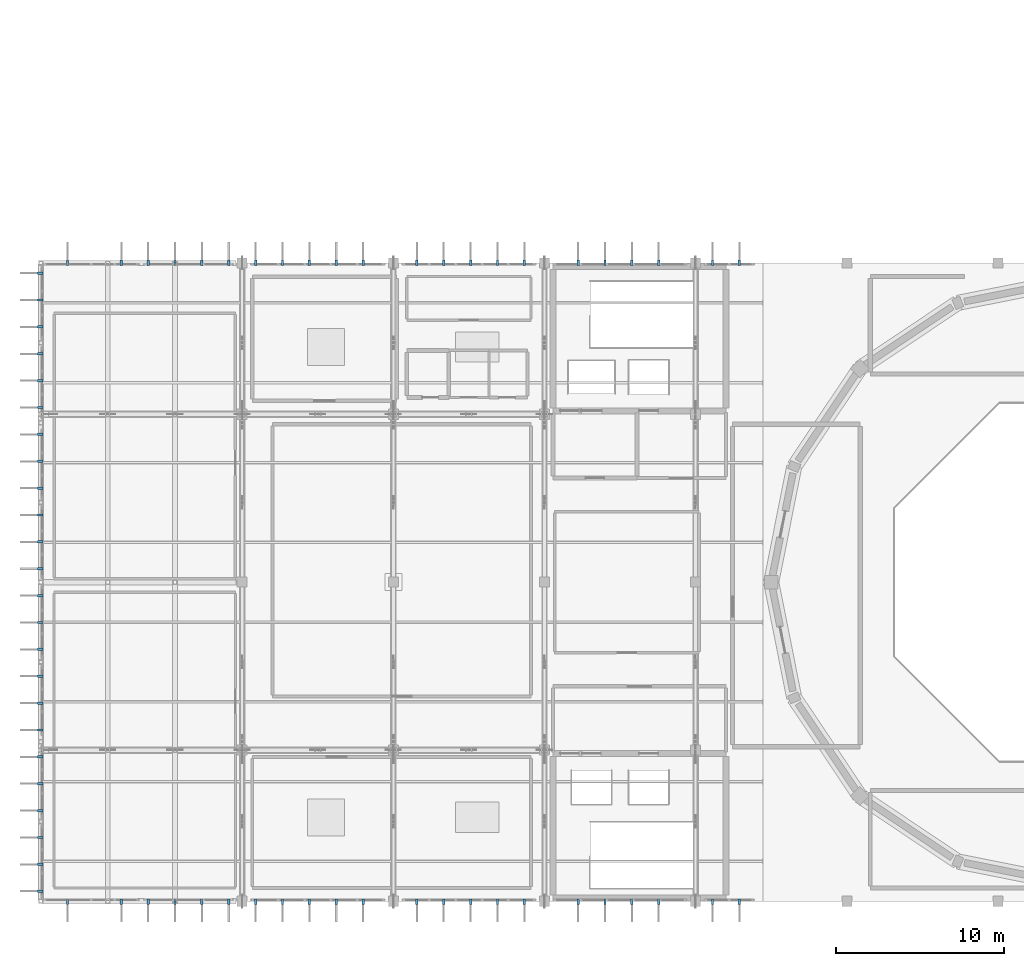
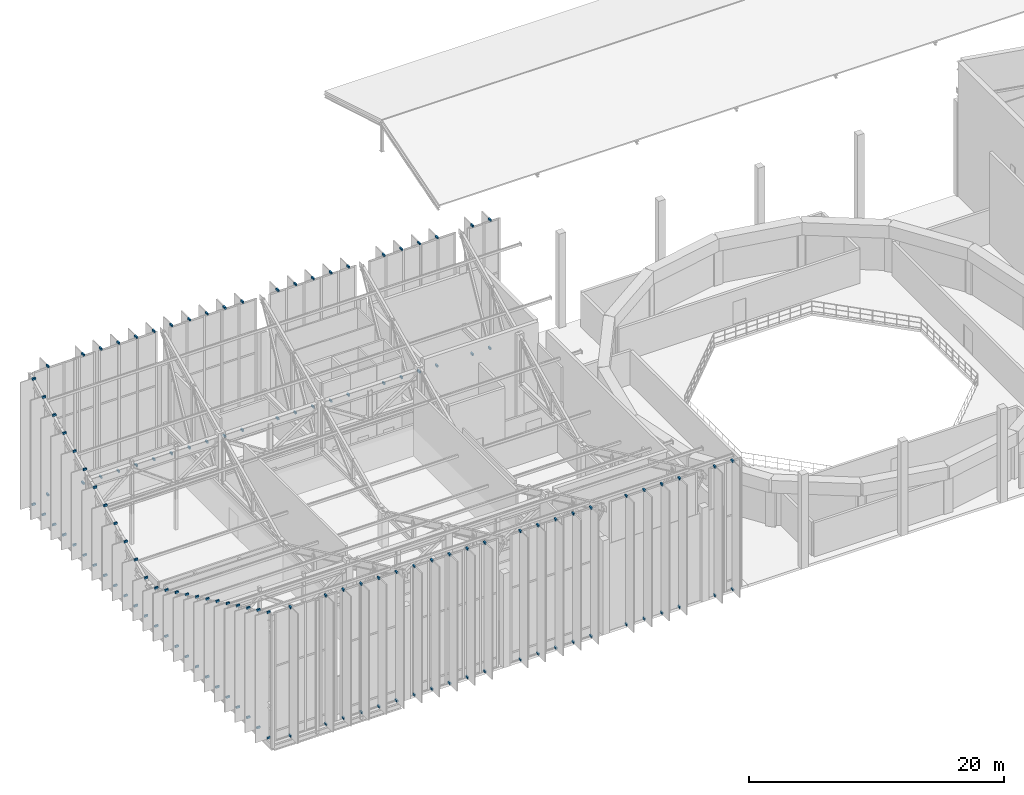
# One storey, part 65 of 68: 136 discrete accessories.
"""IFC4 building model written with IfcOpenShell, lengths in metres."""

from ifc_helpers import new_model, si_unit, direction, frame, origin, origin_2d, place, context, subcontext, project, spatial, rectangle, extrude, material, type_object, element, save


model = new_model("IFC4")

# Units and contexts
model_context = context("Model", 3, precision=1e-05, world=origin(), true_north=direction((0.0, 1.0)))
body_context = subcontext(model_context, "Body", "Model", "MODEL_VIEW")
ifc_project = project(units=[si_unit("LENGTHUNIT", "METRE"), si_unit("AREAUNIT", "SQUARE_METRE"), si_unit("VOLUMEUNIT", "CUBIC_METRE"), si_unit("PLANEANGLEUNIT", "RADIAN"), si_unit("MASSUNIT", "GRAM", prefix="KILO")], contexts=[model_context])

# Site, building, storey
site_placement = place(None, origin())
site = spatial("IfcSite", under=ifc_project, at=site_placement, CompositionType="ELEMENT")
building_placement = place(site_placement, origin())
building = spatial("IfcBuilding", under=site, at=building_placement, Name="Miravela Opera House", CompositionType="ELEMENT")
storey_placement = place(building_placement, frame((0.0, 0.0, 21.760009765625)))
storey = spatial("IfcBuildingStorey", under=building, at=storey_placement, Name="L05", CompositionType="ELEMENT", Elevation=21.760009765625)

# Discrete accessories
ifc_material = material(Name="Anodised architectural bronze aluminium 6063-T6", Category="aluminium")
discrete_accessory_type = type_object("IfcDiscreteAccessoryType", Name="ARC-BRK-FIN-320", PredefinedType="BRACKET", material=ifc_material)
for number, where, z_axis, x_axis, name in (
    (1, (14.97998046875, 37.60009765625, 0.0), (0.0, 0.0, 1.0), (1.0, 0.0, 0.0), "Bronze Fin Outrigger Bracket BOT 0281"),
    (2, (14.97998046875, 37.60009765625, 11.98583984375), (0.0, 0.0, 1.0), (1.0, 0.0, 0.0), "Bronze Fin Outrigger Bracket TOP 0282"),
    (3, (14.97998046875, 39.199951171875, 0.0), (0.0, 0.0, 1.0), (1.0, 0.0, 0.0), "Bronze Fin Outrigger Bracket BOT 0283"),
    (4, (14.97998046875, 39.199951171875, 11.22802734375), (0.0, 0.0, 1.0), (1.0, 0.0, 0.0), "Bronze Fin Outrigger Bracket TOP 0284"),
    (5, (14.97998046875, 40.800048828125, 0.0), (0.0, 0.0, 1.0), (1.0, 0.0, 0.0), "Bronze Fin Outrigger Bracket BOT 0285"),
    (6, (14.97998046875, 40.800048828125, 10.47021484375), (0.0, 0.0, 1.0), (1.0, 0.0, 0.0), "Bronze Fin Outrigger Bracket TOP 0286"),
    (7, (14.97998046875, 42.39990234375, 0.0), (0.0, 0.0, 1.0), (1.0, 0.0, 0.0), "Bronze Fin Outrigger Bracket BOT 0287"),
    (8, (14.97998046875, 42.39990234375, 9.7119140625), (0.0, 0.0, 1.0), (1.0, 0.0, 0.0), "Bronze Fin Outrigger Bracket TOP 0288"),
    (9, (14.97998046875, 44.0, 0.0), (0.0, 0.0, 1.0), (1.0, 0.0, 0.0), "Bronze Fin Outrigger Bracket BOT 0289"),
    (10, (14.97998046875, 44.0, 8.9541015625), (0.0, 0.0, 1.0), (1.0, 0.0, 0.0), "Bronze Fin Outrigger Bracket TOP 0290"),
    (11, (14.97998046875, 45.60009765625, 0.0), (0.0, 0.0, 1.0), (1.0, 0.0, 0.0), "Bronze Fin Outrigger Bracket BOT 0291"),
    (12, (14.97998046875, 45.60009765625, 8.1962890625), (0.0, 0.0, 1.0), (1.0, 0.0, 0.0), "Bronze Fin Outrigger Bracket TOP 0292"),
    (13, (14.97998046875, 47.199951171875, 0.0), (0.0, 0.0, 1.0), (1.0, 0.0, 0.0), "Bronze Fin Outrigger Bracket BOT 0293"),
    (14, (14.97998046875, 47.199951171875, 7.4384765625), (0.0, 0.0, 1.0), (1.0, 0.0, 0.0), "Bronze Fin Outrigger Bracket TOP 0294"),
    (15, (14.97998046875, 48.800048828125, 0.0), (0.0, 0.0, 1.0), (1.0, 0.0, 0.0), "Bronze Fin Outrigger Bracket BOT 0295"),
    (16, (14.97998046875, 48.800048828125, 6.6806640625), (0.0, 0.0, 1.0), (1.0, 0.0, 0.0), "Bronze Fin Outrigger Bracket TOP 0296"),
    (17, (14.97998046875, 50.39990234375, 0.0), (0.0, 0.0, 1.0), (1.0, 0.0, 0.0), "Bronze Fin Outrigger Bracket BOT 0297"),
    (18, (14.97998046875, 50.39990234375, 5.9228515625), (0.0, 0.0, 1.0), (1.0, 0.0, 0.0), "Bronze Fin Outrigger Bracket TOP 0298"),
    (19, (14.97998046875, 52.0, 0.0), (0.0, 0.0, 1.0), (1.0, 0.0, 0.0), "Bronze Fin Outrigger Bracket BOT 0299"),
    (20, (14.97998046875, 52.0, 5.16455078125), (0.0, 0.0, 1.0), (1.0, 0.0, 0.0), "Bronze Fin Outrigger Bracket TOP 0300"),
    (21, (14.97998046875, 53.60009765625, 0.0), (0.0, 0.0, 1.0), (1.0, 0.0, 0.0), "Bronze Fin Outrigger Bracket BOT 0301"),
    (22, (14.97998046875, 53.60009765625, 4.40673828125), (0.0, 0.0, 1.0), (1.0, 0.0, 0.0), "Bronze Fin Outrigger Bracket TOP 0302"),
    (23, (14.97998046875, 55.199951171875, 0.0), (0.0, 0.0, 1.0), (1.0, 0.0, 0.0), "Bronze Fin Outrigger Bracket BOT 0303"),
    (24, (14.97998046875, 55.199951171875, 3.64892578125), (0.0, 0.0, 1.0), (1.0, 0.0, 0.0), "Bronze Fin Outrigger Bracket TOP 0304"),
    (25, (14.97998046875, 56.800048828125, 0.0), (0.0, 0.0, 1.0), (1.0, 0.0, 0.0), "Bronze Fin Outrigger Bracket BOT 0305"),
    (26, (14.97998046875, 56.800048828125, 3.64892578125), (0.0, 0.0, 1.0), (1.0, 0.0, 0.0), "Bronze Fin Outrigger Bracket TOP 0306"),
    (27, (14.97998046875, 58.39990234375, 0.0), (0.0, 0.0, 1.0), (1.0, 0.0, 0.0), "Bronze Fin Outrigger Bracket BOT 0307"),
    (28, (14.97998046875, 58.39990234375, 4.40673828125), (0.0, 0.0, 1.0), (1.0, 0.0, 0.0), "Bronze Fin Outrigger Bracket TOP 0308"),
    (29, (14.97998046875, 60.0, 0.0), (0.0, 0.0, 1.0), (1.0, 0.0, 0.0), "Bronze Fin Outrigger Bracket BOT 0309"),
    (30, (14.97998046875, 60.0, 5.16455078125), (0.0, 0.0, 1.0), (1.0, 0.0, 0.0), "Bronze Fin Outrigger Bracket TOP 0310"),
    (31, (14.97998046875, 61.60009765625, 0.0), (0.0, 0.0, 1.0), (1.0, 0.0, 0.0), "Bronze Fin Outrigger Bracket BOT 0311"),
    (32, (14.97998046875, 61.60009765625, 5.9228515625), (0.0, 0.0, 1.0), (1.0, 0.0, 0.0), "Bronze Fin Outrigger Bracket TOP 0312"),
    (33, (14.97998046875, 63.199951171875, 0.0), (0.0, 0.0, 1.0), (1.0, 0.0, 0.0), "Bronze Fin Outrigger Bracket BOT 0313"),
    (34, (14.97998046875, 63.199951171875, 6.6806640625), (0.0, 0.0, 1.0), (1.0, 0.0, 0.0), "Bronze Fin Outrigger Bracket TOP 0314"),
    (35, (14.97998046875, 64.800048828125, 0.0), (0.0, 0.0, 1.0), (1.0, 0.0, 0.0), "Bronze Fin Outrigger Bracket BOT 0315"),
    (36, (14.97998046875, 64.800048828125, 7.4384765625), (0.0, 0.0, 1.0), (1.0, 0.0, 0.0), "Bronze Fin Outrigger Bracket TOP 0316"),
    (37, (14.97998046875, 66.39990234375, 0.0), (0.0, 0.0, 1.0), (1.0, 0.0, 0.0), "Bronze Fin Outrigger Bracket BOT 0317"),
    (38, (14.97998046875, 66.39990234375, 8.1962890625), (0.0, 0.0, 1.0), (1.0, 0.0, 0.0), "Bronze Fin Outrigger Bracket TOP 0318"),
    (39, (14.97998046875, 68.0, 0.0), (0.0, 0.0, 1.0), (1.0, 0.0, 0.0), "Bronze Fin Outrigger Bracket BOT 0319"),
    (40, (14.97998046875, 68.0, 8.9541015625), (0.0, 0.0, 1.0), (1.0, 0.0, 0.0), "Bronze Fin Outrigger Bracket TOP 0320"),
    (41, (14.97998046875, 69.60009765625, 0.0), (0.0, 0.0, 1.0), (1.0, 0.0, 0.0), "Bronze Fin Outrigger Bracket BOT 0321"),
    (42, (14.97998046875, 69.60009765625, 9.7119140625), (0.0, 0.0, 1.0), (1.0, 0.0, 0.0), "Bronze Fin Outrigger Bracket TOP 0322"),
    (43, (14.97998046875, 71.199951171875, 0.0), (0.0, 0.0, 1.0), (1.0, 0.0, 0.0), "Bronze Fin Outrigger Bracket BOT 0323"),
    (44, (14.97998046875, 71.199951171875, 10.47021484375), (0.0, 0.0, 1.0), (1.0, 0.0, 0.0), "Bronze Fin Outrigger Bracket TOP 0324"),
    (45, (14.97998046875, 72.800048828125, 0.0), (0.0, 0.0, 1.0), (1.0, 0.0, 0.0), "Bronze Fin Outrigger Bracket BOT 0325"),
    (46, (14.97998046875, 72.800048828125, 11.22802734375), (0.0, 0.0, 1.0), (1.0, 0.0, 0.0), "Bronze Fin Outrigger Bracket TOP 0326"),
    (47, (14.97998046875, 74.39990234375, 0.0), (0.0, 0.0, 1.0), (1.0, 0.0, 0.0), "Bronze Fin Outrigger Bracket BOT 0327"),
    (48, (14.97998046875, 74.39990234375, 11.98583984375), (0.0, 0.0, 1.0), (1.0, 0.0, 0.0), "Bronze Fin Outrigger Bracket TOP 0328"),
    (49, (16.60009765625, 75.02001953125, 0.0), (0.0, 0.0, 1.0), (0.0, 1.0, 0.0), "Bronze Fin Outrigger Bracket BOT 0329"),
    (50, (16.60009765625, 75.02001953125, 12.27001953125), (0.0, 0.0, 1.0), (0.0, 1.0, 0.0), "Bronze Fin Outrigger Bracket TOP 0330"),
    (51, (16.60009765625, 36.97998046875, 0.0), (0.0, 0.0, 1.0), (0.0, 1.0, 0.0), "Bronze Fin Outrigger Bracket BOT 0331"),
    (52, (16.60009765625, 36.97998046875, 12.27001953125), (0.0, 0.0, 1.0), (0.0, 1.0, 0.0), "Bronze Fin Outrigger Bracket TOP 0332"),
    (53, (19.800048828125, 75.02001953125, 0.0), (0.0, 0.0, 1.0), (0.0, 1.0, 0.0), "Bronze Fin Outrigger Bracket BOT 0333"),
    (54, (19.800048828125, 75.02001953125, 12.27001953125), (0.0, 0.0, 1.0), (0.0, 1.0, 0.0), "Bronze Fin Outrigger Bracket TOP 0334"),
    (55, (19.800048828125, 36.97998046875, 0.0), (0.0, 0.0, 1.0), (0.0, 1.0, 0.0), "Bronze Fin Outrigger Bracket BOT 0335"),
    (56, (19.800048828125, 36.97998046875, 12.27001953125), (0.0, 0.0, 1.0), (0.0, 1.0, 0.0), "Bronze Fin Outrigger Bracket TOP 0336"),
    (57, (21.39990234375, 75.02001953125, 0.0), (0.0, 0.0, 1.0), (0.0, 1.0, 0.0), "Bronze Fin Outrigger Bracket BOT 0337"),
    (58, (21.39990234375, 75.02001953125, 12.27001953125), (0.0, 0.0, 1.0), (0.0, 1.0, 0.0), "Bronze Fin Outrigger Bracket TOP 0338"),
    (59, (21.39990234375, 36.97998046875, 0.0), (0.0, 0.0, 1.0), (0.0, 1.0, 0.0), "Bronze Fin Outrigger Bracket BOT 0339"),
    (60, (21.39990234375, 36.97998046875, 12.27001953125), (0.0, 0.0, 1.0), (0.0, 1.0, 0.0), "Bronze Fin Outrigger Bracket TOP 0340"),
    (61, (23.0, 75.02001953125, 0.0), (0.0, 0.0, 1.0), (0.0, 1.0, 0.0), "Bronze Fin Outrigger Bracket BOT 0341"),
    (62, (23.0, 75.02001953125, 12.27001953125), (0.0, 0.0, 1.0), (0.0, 1.0, 0.0), "Bronze Fin Outrigger Bracket TOP 0342"),
    (63, (23.0, 36.97998046875, 0.0), (0.0, 0.0, 1.0), (0.0, 1.0, 0.0), "Bronze Fin Outrigger Bracket BOT 0343"),
    (64, (23.0, 36.97998046875, 12.27001953125), (0.0, 0.0, 1.0), (0.0, 1.0, 0.0), "Bronze Fin Outrigger Bracket TOP 0344"),
    (65, (24.60009765625, 75.02001953125, 0.0), (0.0, 0.0, 1.0), (0.0, 1.0, 0.0), "Bronze Fin Outrigger Bracket BOT 0345"),
    (66, (24.60009765625, 75.02001953125, 12.27001953125), (0.0, 0.0, 1.0), (0.0, 1.0, 0.0), "Bronze Fin Outrigger Bracket TOP 0346"),
    (67, (24.60009765625, 36.97998046875, 0.0), (0.0, 0.0, 1.0), (0.0, 1.0, 0.0), "Bronze Fin Outrigger Bracket BOT 0347"),
    (68, (24.60009765625, 36.97998046875, 12.27001953125), (0.0, 0.0, 1.0), (0.0, 1.0, 0.0), "Bronze Fin Outrigger Bracket TOP 0348"),
    (69, (26.199951171875, 75.02001953125, 0.0), (0.0, 0.0, 1.0), (0.0, 1.0, 0.0), "Bronze Fin Outrigger Bracket BOT 0349"),
    (70, (26.199951171875, 75.02001953125, 12.27001953125), (0.0, 0.0, 1.0), (0.0, 1.0, 0.0), "Bronze Fin Outrigger Bracket TOP 0350"),
    (71, (26.199951171875, 36.97998046875, 0.0), (0.0, 0.0, 1.0), (0.0, 1.0, 0.0), "Bronze Fin Outrigger Bracket BOT 0351"),
    (72, (26.199951171875, 36.97998046875, 12.27001953125), (0.0, 0.0, 1.0), (0.0, 1.0, 0.0), "Bronze Fin Outrigger Bracket TOP 0352"),
    (73, (27.800048828125, 75.02001953125, 0.0), (0.0, 0.0, 1.0), (0.0, 1.0, 0.0), "Bronze Fin Outrigger Bracket BOT 0353"),
    (74, (27.800048828125, 75.02001953125, 12.27001953125), (0.0, 0.0, 1.0), (0.0, 1.0, 0.0), "Bronze Fin Outrigger Bracket TOP 0354"),
    (75, (27.800048828125, 36.97998046875, 0.0), (0.0, 0.0, 1.0), (0.0, 1.0, 0.0), "Bronze Fin Outrigger Bracket BOT 0355"),
    (76, (27.800048828125, 36.97998046875, 12.27001953125), (0.0, 0.0, 1.0), (0.0, 1.0, 0.0), "Bronze Fin Outrigger Bracket TOP 0356"),
    (77, (29.39990234375, 75.02001953125, 0.0), (0.0, 0.0, 1.0), (0.0, 1.0, 0.0), "Bronze Fin Outrigger Bracket BOT 0357"),
    (78, (29.39990234375, 75.02001953125, 12.27001953125), (0.0, 0.0, 1.0), (0.0, 1.0, 0.0), "Bronze Fin Outrigger Bracket TOP 0358"),
    (79, (29.39990234375, 36.97998046875, 0.0), (0.0, 0.0, 1.0), (0.0, 1.0, 0.0), "Bronze Fin Outrigger Bracket BOT 0359"),
    (80, (29.39990234375, 36.97998046875, 12.27001953125), (0.0, 0.0, 1.0), (0.0, 1.0, 0.0), "Bronze Fin Outrigger Bracket TOP 0360"),
    (81, (31.0, 75.02001953125, 0.0), (0.0, 0.0, 1.0), (0.0, 1.0, 0.0), "Bronze Fin Outrigger Bracket BOT 0361"),
    (82, (31.0, 75.02001953125, 12.27001953125), (0.0, 0.0, 1.0), (0.0, 1.0, 0.0), "Bronze Fin Outrigger Bracket TOP 0362"),
    (83, (31.0, 36.97998046875, 0.0), (0.0, 0.0, 1.0), (0.0, 1.0, 0.0), "Bronze Fin Outrigger Bracket BOT 0363"),
    (84, (31.0, 36.97998046875, 12.27001953125), (0.0, 0.0, 1.0), (0.0, 1.0, 0.0), "Bronze Fin Outrigger Bracket TOP 0364"),
    (85, (32.60009765625, 75.02001953125, 0.0), (0.0, 0.0, 1.0), (0.0, 1.0, 0.0), "Bronze Fin Outrigger Bracket BOT 0365"),
    (86, (32.60009765625, 75.02001953125, 12.27001953125), (0.0, 0.0, 1.0), (0.0, 1.0, 0.0), "Bronze Fin Outrigger Bracket TOP 0366"),
    (87, (32.60009765625, 36.97998046875, 0.0), (0.0, 0.0, 1.0), (0.0, 1.0, 0.0), "Bronze Fin Outrigger Bracket BOT 0367"),
    (88, (32.60009765625, 36.97998046875, 12.27001953125), (0.0, 0.0, 1.0), (0.0, 1.0, 0.0), "Bronze Fin Outrigger Bracket TOP 0368"),
    (89, (34.199951171875, 75.02001953125, 0.0), (0.0, 0.0, 1.0), (0.0, 1.0, 0.0), "Bronze Fin Outrigger Bracket BOT 0369"),
    (90, (34.199951171875, 75.02001953125, 12.27001953125), (0.0, 0.0, 1.0), (0.0, 1.0, 0.0), "Bronze Fin Outrigger Bracket TOP 0370"),
    (91, (34.199951171875, 36.97998046875, 0.0), (0.0, 0.0, 1.0), (0.0, 1.0, 0.0), "Bronze Fin Outrigger Bracket BOT 0371"),
    (92, (34.199951171875, 36.97998046875, 12.27001953125), (0.0, 0.0, 1.0), (0.0, 1.0, 0.0), "Bronze Fin Outrigger Bracket TOP 0372"),
    (93, (37.39990234375, 75.02001953125, 0.0), (0.0, 0.0, 1.0), (0.0, 1.0, 0.0), "Bronze Fin Outrigger Bracket BOT 0373"),
    (94, (37.39990234375, 75.02001953125, 12.27001953125), (0.0, 0.0, 1.0), (0.0, 1.0, 0.0), "Bronze Fin Outrigger Bracket TOP 0374"),
    (95, (37.39990234375, 36.97998046875, 0.0), (0.0, 0.0, 1.0), (0.0, 1.0, 0.0), "Bronze Fin Outrigger Bracket BOT 0375"),
    (96, (37.39990234375, 36.97998046875, 12.27001953125), (0.0, 0.0, 1.0), (0.0, 1.0, 0.0), "Bronze Fin Outrigger Bracket TOP 0376"),
    (97, (39.0, 75.02001953125, 0.0), (0.0, 0.0, 1.0), (0.0, 1.0, 0.0), "Bronze Fin Outrigger Bracket BOT 0377"),
    (98, (39.0, 75.02001953125, 12.27001953125), (0.0, 0.0, 1.0), (0.0, 1.0, 0.0), "Bronze Fin Outrigger Bracket TOP 0378"),
    (99, (39.0, 36.97998046875, 0.0), (0.0, 0.0, 1.0), (0.0, 1.0, 0.0), "Bronze Fin Outrigger Bracket BOT 0379"),
    (100, (39.0, 36.97998046875, 12.27001953125), (0.0, 0.0, 1.0), (0.0, 1.0, 0.0), "Bronze Fin Outrigger Bracket TOP 0380"),
    (101, (40.60009765625, 75.02001953125, 0.0), (0.0, 0.0, 1.0), (0.0, 1.0, 0.0), "Bronze Fin Outrigger Bracket BOT 0381"),
    (102, (40.60009765625, 75.02001953125, 12.27001953125), (0.0, 0.0, 1.0), (0.0, 1.0, 0.0), "Bronze Fin Outrigger Bracket TOP 0382"),
    (103, (40.60009765625, 36.97998046875, 0.0), (0.0, 0.0, 1.0), (0.0, 1.0, 0.0), "Bronze Fin Outrigger Bracket BOT 0383"),
    (104, (40.60009765625, 36.97998046875, 12.27001953125), (0.0, 0.0, 1.0), (0.0, 1.0, 0.0), "Bronze Fin Outrigger Bracket TOP 0384"),
    (105, (42.199951171875, 75.02001953125, 0.0), (0.0, 0.0, 1.0), (0.0, 1.0, 0.0), "Bronze Fin Outrigger Bracket BOT 0385"),
    (106, (42.199951171875, 75.02001953125, 12.27001953125), (0.0, 0.0, 1.0), (0.0, 1.0, 0.0), "Bronze Fin Outrigger Bracket TOP 0386"),
    (107, (42.199951171875, 36.97998046875, 0.0), (0.0, 0.0, 1.0), (0.0, 1.0, 0.0), "Bronze Fin Outrigger Bracket BOT 0387"),
    (108, (42.199951171875, 36.97998046875, 12.27001953125), (0.0, 0.0, 1.0), (0.0, 1.0, 0.0), "Bronze Fin Outrigger Bracket TOP 0388"),
    (109, (43.800048828125, 75.02001953125, 0.0), (0.0, 0.0, 1.0), (0.0, 1.0, 0.0), "Bronze Fin Outrigger Bracket BOT 0389"),
    (110, (43.800048828125, 75.02001953125, 12.27001953125), (0.0, 0.0, 1.0), (0.0, 1.0, 0.0), "Bronze Fin Outrigger Bracket TOP 0390"),
    (111, (43.800048828125, 36.97998046875, 0.0), (0.0, 0.0, 1.0), (0.0, 1.0, 0.0), "Bronze Fin Outrigger Bracket BOT 0391"),
    (112, (43.800048828125, 36.97998046875, 12.27001953125), (0.0, 0.0, 1.0), (0.0, 1.0, 0.0), "Bronze Fin Outrigger Bracket TOP 0392"),
    (113, (47.0, 75.02001953125, 0.0), (0.0, 0.0, 1.0), (0.0, 1.0, 0.0), "Bronze Fin Outrigger Bracket BOT 0393"),
    (114, (47.0, 75.02001953125, 12.27001953125), (0.0, 0.0, 1.0), (0.0, 1.0, 0.0), "Bronze Fin Outrigger Bracket TOP 0394"),
    (115, (47.0, 36.97998046875, 0.0), (0.0, 0.0, 1.0), (0.0, 1.0, 0.0), "Bronze Fin Outrigger Bracket BOT 0395"),
    (116, (47.0, 36.97998046875, 12.27001953125), (0.0, 0.0, 1.0), (0.0, 1.0, 0.0), "Bronze Fin Outrigger Bracket TOP 0396"),
    (117, (48.60009765625, 75.02001953125, 0.0), (0.0, 0.0, 1.0), (0.0, 1.0, 0.0), "Bronze Fin Outrigger Bracket BOT 0397"),
    (118, (48.60009765625, 75.02001953125, 12.27001953125), (0.0, 0.0, 1.0), (0.0, 1.0, 0.0), "Bronze Fin Outrigger Bracket TOP 0398"),
    (119, (48.60009765625, 36.97998046875, 0.0), (0.0, 0.0, 1.0), (0.0, 1.0, 0.0), "Bronze Fin Outrigger Bracket BOT 0399"),
    (120, (48.60009765625, 36.97998046875, 12.27001953125), (0.0, 0.0, 1.0), (0.0, 1.0, 0.0), "Bronze Fin Outrigger Bracket TOP 0400"),
    (121, (50.199951171875, 75.02001953125, 0.0), (0.0, 0.0, 1.0), (0.0, 1.0, 0.0), "Bronze Fin Outrigger Bracket BOT 0401"),
    (122, (50.199951171875, 75.02001953125, 12.27001953125), (0.0, 0.0, 1.0), (0.0, 1.0, 0.0), "Bronze Fin Outrigger Bracket TOP 0402"),
    (123, (50.199951171875, 36.97998046875, 0.0), (0.0, 0.0, 1.0), (0.0, 1.0, 0.0), "Bronze Fin Outrigger Bracket BOT 0403"),
    (124, (50.199951171875, 36.97998046875, 12.27001953125), (0.0, 0.0, 1.0), (0.0, 1.0, 0.0), "Bronze Fin Outrigger Bracket TOP 0404"),
    (125, (51.800048828125, 75.02001953125, 0.0), (0.0, 0.0, 1.0), (0.0, 1.0, 0.0), "Bronze Fin Outrigger Bracket BOT 0405"),
    (126, (51.800048828125, 75.02001953125, 12.27001953125), (0.0, 0.0, 1.0), (0.0, 1.0, 0.0), "Bronze Fin Outrigger Bracket TOP 0406"),
    (127, (51.800048828125, 36.97998046875, 0.0), (0.0, 0.0, 1.0), (0.0, 1.0, 0.0), "Bronze Fin Outrigger Bracket BOT 0407"),
    (128, (51.800048828125, 36.97998046875, 12.27001953125), (0.0, 0.0, 1.0), (0.0, 1.0, 0.0), "Bronze Fin Outrigger Bracket TOP 0408"),
    (129, (55.0, 75.02001953125, 0.0), (0.0, 0.0, 1.0), (0.0, 1.0, 0.0), "Bronze Fin Outrigger Bracket BOT 0409"),
    (130, (55.0, 75.02001953125, 12.27001953125), (0.0, 0.0, 1.0), (0.0, 1.0, 0.0), "Bronze Fin Outrigger Bracket TOP 0410"),
    (131, (55.0, 36.97998046875, 0.0), (0.0, 0.0, 1.0), (0.0, 1.0, 0.0), "Bronze Fin Outrigger Bracket BOT 0411"),
    (132, (55.0, 36.97998046875, 12.27001953125), (0.0, 0.0, 1.0), (0.0, 1.0, 0.0), "Bronze Fin Outrigger Bracket TOP 0412"),
    (133, (56.60009765625, 75.02001953125, 0.0), (0.0, 0.0, 1.0), (0.0, 1.0, 0.0), "Bronze Fin Outrigger Bracket BOT 0413"),
    (134, (56.60009765625, 75.02001953125, 12.27001953125), (0.0, 0.0, 1.0), (0.0, 1.0, 0.0), "Bronze Fin Outrigger Bracket TOP 0414"),
    (135, (56.60009765625, 36.97998046875, 0.0), (0.0, 0.0, 1.0), (0.0, 1.0, 0.0), "Bronze Fin Outrigger Bracket BOT 0415"),
    (136, (56.60009765625, 36.97998046875, 12.27001953125), (0.0, 0.0, 1.0), (0.0, 1.0, 0.0), "Bronze Fin Outrigger Bracket TOP 0416"),
):
    element("IfcDiscreteAccessory", number, at=place(storey_placement, frame(where, z_axis=z_axis, x_axis=x_axis)), inside=storey, type_object=discrete_accessory_type, Name=name, PredefinedType="BRACKET", context=body_context, shape_type="SweptSolid", body=[
        extrude(rectangle(XDim=0.320068359375, YDim=0.139892578125, at=origin_2d()), origin(), (0.0, 0.0, 1.0), 0.179931640625),
    ])

save(model, "model.ifc")
